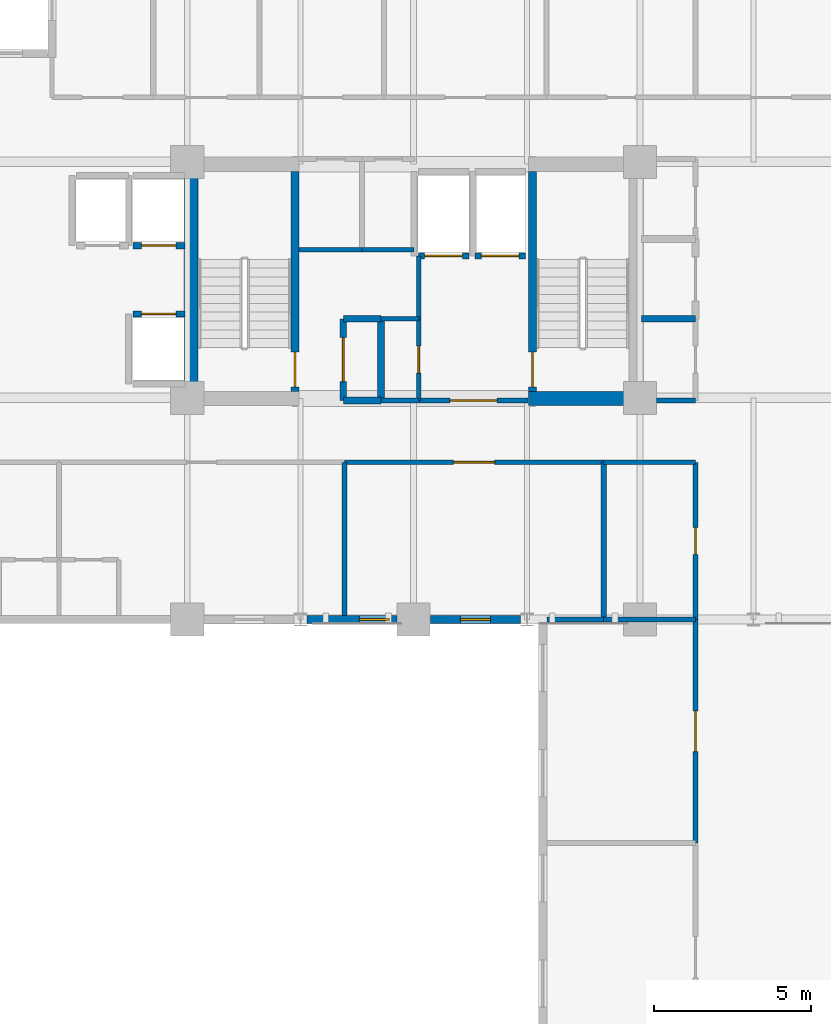
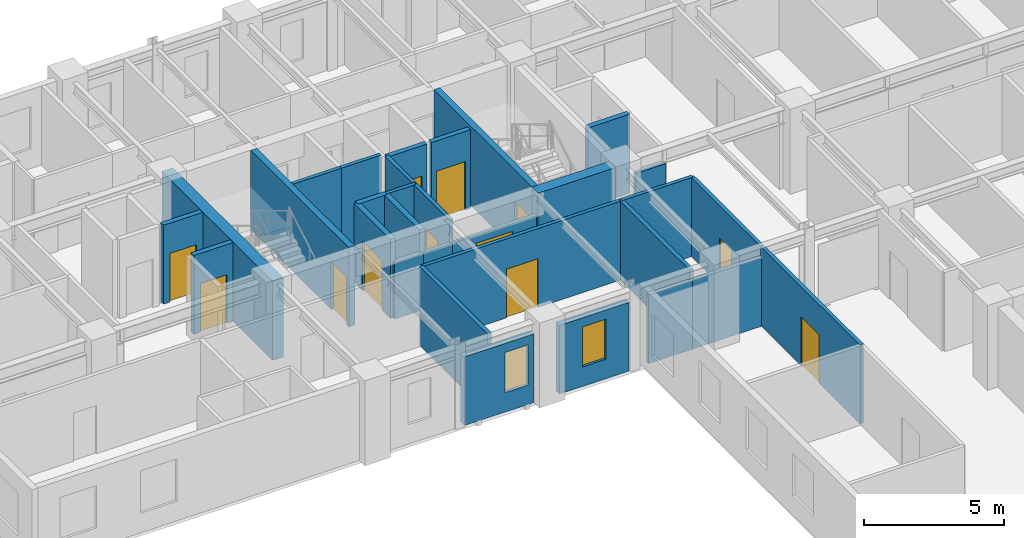
# One storey, part 5 of 13: 31 walls, 12 doors, 2 windows, 14 openings.
"""IFC4 building model written with IfcOpenShell, lengths in metres."""

import ifcopenshell
import ifcopenshell.guid

model = None  # the IFC model being written
_history = None  # IfcOwnerHistory: only IFC2X3 demands one
_inside = {}  # id of a spatial element -> (the spatial element, [elements in it])
_under = {}  # id of a project, library or spatial element -> (it, [spatial elements below it])
_declared = {}  # id of a project -> (the project, [libraries it declares])
_typed = {}  # id of a type object -> (the type object, [elements of that type])
_made_of = {}  # id of a material, layer set ... -> (it, [elements and type objects made of it])


def new_model(schema):
    """Start an empty IFC model of exactly this schema.

    Asked for "IFC4X3", IfcOpenShell would pick the latest addendum, in which some entities
    have other attributes; the version numbers below select the first issue.
    IFC2X3 requires an IfcOwnerHistory on every rooted entity: one is made here for all.
    """
    global model, _history
    if schema == "IFC4X3":
        model = ifcopenshell.file(schema_version=(4, 3, 0, 0))
    else:
        model = ifcopenshell.file(schema=schema)
    _inside.clear()
    _under.clear()
    _declared.clear()
    _typed.clear()
    _made_of.clear()
    _history = None
    if model.schema == "IFC2X3":
        org = make("IfcOrganization", Name="unknown")
        user = make(
            "IfcPersonAndOrganization",
            ThePerson=make("IfcPerson", FamilyName="unknown"),
            TheOrganization=org,
        )
        app = make(
            "IfcApplication",
            ApplicationDeveloper=org,
            Version="unknown",
            ApplicationFullName="unknown",
            ApplicationIdentifier="unknown",
        )
        _history = make(
            "IfcOwnerHistory",
            OwningUser=user,
            OwningApplication=app,
            ChangeAction="ADDED",
            CreationDate=0,
        )
    return model


def make(cls, **values):
    """One entity of the class cls with the attributes given. An attribute that is None is left unset."""
    return model.create_entity(
        cls, **{name: value for name, value in values.items() if value is not None}
    )


def rooted(cls, **values):
    """An entity with a GlobalId (a new one), such as an element, a storey or a relation."""
    return make(cls, GlobalId=ifcopenshell.guid.new(), OwnerHistory=_history, **values)


def si_unit(unit_type, name, prefix=None):
    """IfcSIUnit, for example si_unit("LENGTHUNIT", "METRE", prefix="MILLI")."""
    return make("IfcSIUnit", UnitType=unit_type, Prefix=prefix, Name=name)


def assignment(units):
    """IfcUnitAssignment: the units of a project."""
    return None if units is None else make("IfcUnitAssignment", Units=units)


def point(xyz):
    """IfcCartesianPoint."""
    return None if xyz is None else make("IfcCartesianPoint", Coordinates=xyz)


def direction(xyz):
    """IfcDirection."""
    return None if xyz is None else make("IfcDirection", DirectionRatios=xyz)


def frame(location, z_axis=None, x_axis=None):
    """IfcAxis2Placement3D, a coordinate frame: its origin and axes. An axis left out is left unset."""
    return make(
        "IfcAxis2Placement3D",
        Location=point(location),
        Axis=direction(z_axis),
        RefDirection=direction(x_axis),
    )


def frame_2d(location, x_axis=None):
    """IfcAxis2Placement2D, a coordinate frame in the plane: its origin and x axis."""
    return make(
        "IfcAxis2Placement2D", Location=point(location), RefDirection=direction(x_axis)
    )


def origin():
    """The frame at (0, 0, 0) with its axes left unset."""
    return frame((0.0, 0.0, 0.0))


def place(relative_to, where):
    """IfcLocalPlacement: puts the frame where relative to a parent placement (None: the world)."""
    return make(
        "IfcLocalPlacement", PlacementRelTo=relative_to, RelativePlacement=where
    )


def context(
    kind, dimensions, precision=None, world=None, true_north=None, identifier=None
):
    """IfcGeometricRepresentationContext, for example the 3D "Model" context."""
    return make(
        "IfcGeometricRepresentationContext",
        ContextIdentifier=identifier,
        ContextType=kind,
        CoordinateSpaceDimension=dimensions,
        Precision=precision,
        WorldCoordinateSystem=world,
        TrueNorth=true_north,
    )


def subcontext(parent, identifier, kind, view, scale=None):
    """IfcGeometricRepresentationSubContext, for example "Body" below "Model"."""
    return make(
        "IfcGeometricRepresentationSubContext",
        ContextIdentifier=identifier,
        ContextType=kind,
        ParentContext=parent,
        TargetScale=scale,
        TargetView=view,
    )


def project(units=None, contexts=None):
    """IfcProject with its units and contexts."""
    return rooted(
        "IfcProject",
        Name="project",
        RepresentationContexts=contexts,
        UnitsInContext=assignment(units),
    )


def spatial(cls, under=None, at=None, **own):
    """A site, building, storey or space (cls), placed at a placement, below another one or the project."""
    s = rooted(cls, ObjectPlacement=at, **own)
    if under is not None:
        _under.setdefault(under.id(), (under, []))[1].append(s)
    return s


def profile(cls, at=None, kind="AREA", **sizes):
    """A parametric profile (cls). Its sizes go by their IFC names, for example OverallWidth=200.0."""
    return make(cls, ProfileType=kind, Position=at, **sizes)


def rectangle(**sizes):
    """IfcRectangleProfileDef."""
    return profile("IfcRectangleProfileDef", **sizes)


def extrude(swept, where, along, depth):
    """IfcExtrudedAreaSolid: the profile swept, set in the frame where, extruded along a direction by depth."""
    return make(
        "IfcExtrudedAreaSolid",
        SweptArea=swept,
        Position=where,
        ExtrudedDirection=direction(along),
        Depth=depth,
    )


def shape(context_of_items, identifier, shape_type, items):
    """IfcShapeRepresentation: the items that make up one representation, for example the "Body"."""
    return make(
        "IfcShapeRepresentation",
        ContextOfItems=context_of_items,
        RepresentationIdentifier=identifier,
        RepresentationType=shape_type,
        Items=items,
    )


def material(Name=None, Category=None):
    """IfcMaterial."""
    return make("IfcMaterial", Name=Name, Category=Category)


def layer(
    of_material, thickness, ventilated=None, Name=None, Category=None, Priority=None
):
    """IfcMaterialLayer: one layer of a wall or slab, of a material (None: an air gap)."""
    return make(
        "IfcMaterialLayer",
        Material=of_material,
        LayerThickness=thickness,
        IsVentilated=ventilated,
        Name=Name,
        Category=Category,
        Priority=Priority,
    )


def layer_set(layers, Name=None):
    """IfcMaterialLayerSet."""
    return make("IfcMaterialLayerSet", MaterialLayers=layers, LayerSetName=Name)


def made_of(thing, what):
    """Note that an element or type object is made of a material, layer set ...; save() writes the relation."""
    if what is not None:
        _made_of.setdefault(what.id(), (what, []))[1].append(thing)
    return thing


def type_object(cls, material=None, **own):
    """A type object (cls), such as IfcWallType, which elements share."""
    return made_of(rooted(cls, **own), material)


def element(
    cls,
    number,
    at=None,
    inside=None,
    cuts=None,
    type_object=None,
    material=None,
    context=None,
    identifier="Body",
    shape_type=None,
    held_by="IfcProductDefinitionShape",
    body=None,
    shapes=None,
    **own,
):
    """One element of the class cls, such as IfcWall. Its Tag is "e" and its number.

    at: its placement. inside: the storey or other place that contains it. cuts: it is an
    opening in that element (IfcRelVoidsElement). A single representation is given by context,
    identifier, shape_type and body (its items); several are given by shapes. held_by: the class
    of the entity that holds the representations. save() writes the other relations.
    """
    e = rooted(cls, Tag="e%d" % number, ObjectPlacement=at, **own)
    if body is not None:
        shapes = [shape(context, identifier, shape_type, body)]
    if shapes is not None:
        e.Representation = make(held_by, Representations=shapes)
    if inside is not None:
        _inside.setdefault(inside.id(), (inside, []))[1].append(e)
    if cuts is not None:
        rooted(
            "IfcRelVoidsElement", RelatingBuildingElement=cuts, RelatedOpeningElement=e
        )
    if type_object is not None:
        _typed.setdefault(type_object.id(), (type_object, []))[1].append(e)
    return made_of(e, material)


def fill(opening, filler):
    """IfcRelFillsElement: the door or window that sits in an opening."""
    return rooted(
        "IfcRelFillsElement",
        RelatingOpeningElement=opening,
        RelatedBuildingElement=filler,
    )


def aggregate(whole, parts):
    """IfcRelAggregates: a whole, such as a stair, and the parts it consists of."""
    return rooted("IfcRelAggregates", RelatingObject=whole, RelatedObjects=parts)


def save(model, path):
    """Write the relations noted so far, then the file.

    IfcRelAggregates (storeys below a building ...), IfcRelContainedInSpatialStructure (elements
    in a storey), IfcRelDefinesByType, IfcRelAssociatesMaterial and IfcRelDeclares: one each for
    every whole, place, type object, material and project.
    """
    for whole, parts in _under.values():
        aggregate(whole, parts)
    for where, things in _inside.values():
        rooted(
            "IfcRelContainedInSpatialStructure",
            RelatedElements=things,
            RelatingStructure=where,
        )
    for kind, things in _typed.values():
        rooted("IfcRelDefinesByType", RelatedObjects=things, RelatingType=kind)
    for what, things in _made_of.values():
        rooted("IfcRelAssociatesMaterial", RelatedObjects=things, RelatingMaterial=what)
    for by, libraries in _declared.values():
        rooted("IfcRelDeclares", RelatingContext=by, RelatedDefinitions=libraries)
    model.write(path)


model = new_model("IFC4")

# Units and contexts
model_context = context("Model", 3, precision=1e-05, world=origin(), true_north=direction((0.0, 1.0)))
body_context = subcontext(model_context, "Body", "Model", "MODEL_VIEW")
ifc_project = project(units=[si_unit("LENGTHUNIT", "METRE"), si_unit("AREAUNIT", "SQUARE_METRE"), si_unit("VOLUMEUNIT", "CUBIC_METRE"), si_unit("PLANEANGLEUNIT", "RADIAN"), si_unit("MASSUNIT", "GRAM", prefix="KILO")], contexts=[model_context])

# Site, building, storey
site_placement = place(None, origin())
site = spatial("IfcSite", under=ifc_project, at=site_placement, CompositionType="ELEMENT")
building_placement = place(site_placement, origin())
building = spatial("IfcBuilding", under=site, at=building_placement, Name="Kaliganga Portal Commons", CompositionType="ELEMENT")
storey_placement = place(building_placement, frame((0.0, 0.0, 173.5)))
storey = spatial("IfcBuildingStorey", under=building, at=storey_placement, Name="L44", CompositionType="ELEMENT", Elevation=173.5)

# Walls
ifc_material_1 = material(Name="Concrete C60/75", Category="concrete")
ifc_layer_1 = layer(ifc_material_1, 0.449951171875)
ifc_layer_set_1 = layer_set([ifc_layer_1], Name="Concrete C60/75")
wall_type_1 = type_object("IfcWallType", Name="WL-CORE-450", PredefinedType="SHEAR", material=ifc_layer_set_1)
wall_1_placement = place(storey_placement, frame((14.52490234375, 28.39990234375, 0.0), z_axis=(0.0, 0.0, 1.0), x_axis=(0.0, 1.0, 0.0)))
element("IfcWall", 1, at=wall_1_placement, inside=storey, type_object=wall_type_1, Name="Core A West Shear Wall L44", PredefinedType="SHEAR", context=body_context, shape_type="SweptSolid", body=[
    extrude(rectangle(XDim=7.900146484375, YDim=0.449951171875, at=frame_2d((3.9501953125, 0.0))), origin(), (0.0, 0.0, 1.0), 3.4599609375),
])
wall_2_placement = place(storey_placement, frame((25.25, 28.625, 0.0), z_axis=(0.0, 0.0, 1.0), x_axis=(1.0, 0.0, 0.0)))
element("IfcWall", 2, at=wall_2_placement, inside=storey, type_object=wall_type_1, Name="Core A S-East Shear Wall L44", PredefinedType="SHEAR", context=body_context, shape_type="SweptSolid", body=[
    extrude(rectangle(XDim=3.199951171875, YDim=0.449951171875, at=frame_2d((1.60009765625, 0.0))), origin(), (0.0, 0.0, 1.0), 3.4599609375),
])

# Wall, opening, window
ifc_material_2 = material(Name="Insulated Aluminium-Clad Spandrel Assembly", Category="aluminium")
ifc_layer_2 = layer(ifc_material_2, 0.260009765625)
ifc_layer_set_2 = layer_set([ifc_layer_2], Name="Insulated Aluminium-Clad Spandrel Assembly")
wall_type_2 = type_object("IfcWallType", Name="WL-EXT-SPAND-260", PredefinedType="STANDARD", material=ifc_layer_set_2)
wall_3_placement = place(storey_placement, frame((21.073974609375, 21.60009765625, 0.0), z_axis=(0.0, 0.0, 1.0), x_axis=(-1.0, 0.0, 0.0)))
wall_3 = element("IfcWall", 3, at=wall_3_placement, inside=storey, type_object=wall_type_2, Name="Exterior Envelope Wall L44 P1-E10-S3", PredefinedType="STANDARD", context=body_context, shape_type="SweptSolid", body=[
    extrude(rectangle(XDim=2.87109375, YDim=0.260009765625, at=frame_2d((1.435546875, 0.0))), origin(), (0.0, 0.0, 1.0), 2.989990234375),
])
opening_1_placement = place(wall_3_placement, frame((0.24853515625, 0.0, 0.85009765625)))
opening_1 = element("IfcOpeningElement", 4, at=opening_1_placement, cuts=wall_3, Name="Opening W-04", PredefinedType="OPENING", context=body_context, shape_type="SweptSolid", body=[
    extrude(rectangle(XDim=0.949951171875, YDim=1.75, at=frame_2d((0.47509765625, 0.875))), frame((0.0, 0.14013671875, 0.0), z_axis=(0.0, -1.0, 0.0), x_axis=(1.0, 0.0, 0.0)), (0.0, 0.0, 1.0), 0.280029296875),
])
ifc_material_3 = material(Name="Thermally Broken Aluminium and Low-E Double Glazing", Category="aluminium")
window_type = type_object("IfcWindowType", Name="WIN-NARROW-950", PartitioningType="SINGLE_PANEL", PredefinedType="WINDOW", material=ifc_material_3)
window_1_placement = place(opening_1_placement, origin())
window_1 = element("IfcWindow", 5, at=window_1_placement, inside=storey, type_object=window_type, Name="Facade Window L44-P1E10S3-N1", OverallHeight=1.75, OverallWidth=0.949951171875, PartitioningType="SINGLE_PANEL", PredefinedType="WINDOW", context=body_context, shape_type="SweptSolid", body=[
    extrude(rectangle(XDim=0.949951171875, YDim=1.75, at=frame_2d((0.47509765625, 0.875))), frame((0.0, 0.030029296875, 0.0), z_axis=(0.0, -1.0, 0.0), x_axis=(1.0, 0.0, 0.0)), (0.0, 0.0, 1.0), 0.06005859375),
])
fill(opening_1, window_1)

wall_4_placement = place(storey_placement, frame((24.9970703125, 21.60009765625, 0.0), z_axis=(0.0, 0.0, 1.0), x_axis=(-1.0, 0.0, 0.0)))
wall_4 = element("IfcWall", 6, at=wall_4_placement, inside=storey, type_object=wall_type_2, Name="Exterior Envelope Wall L44 P1-E10-S4", PredefinedType="STANDARD", context=body_context, shape_type="SweptSolid", body=[
    extrude(rectangle(XDim=2.87109375, YDim=0.260009765625, at=frame_2d((1.435546875, 0.0))), origin(), (0.0, 0.0, 1.0), 2.989990234375),
])
opening_2_placement = place(wall_4_placement, frame((0.96044921875, 0.0, 0.85009765625)))
opening_2 = element("IfcOpeningElement", 7, at=opening_2_placement, cuts=wall_4, Name="Opening W-04", PredefinedType="OPENING", context=body_context, shape_type="SweptSolid", body=[
    extrude(rectangle(XDim=0.949951171875, YDim=1.75, at=frame_2d((0.47509765625, 0.875))), frame((0.0, 0.14013671875, 0.0), z_axis=(0.0, -1.0, 0.0), x_axis=(1.0, 0.0, 0.0)), (0.0, 0.0, 1.0), 0.280029296875),
])
window_2_placement = place(opening_2_placement, origin())
window_2 = element("IfcWindow", 8, at=window_2_placement, inside=storey, type_object=window_type, Name="Facade Window L44-P1E10S4-00", OverallHeight=1.75, OverallWidth=0.949951171875, PartitioningType="SINGLE_PANEL", PredefinedType="WINDOW", context=body_context, shape_type="SweptSolid", body=[
    extrude(rectangle(XDim=0.949951171875, YDim=1.75, at=frame_2d((0.47509765625, 0.875))), frame((0.0, 0.030029296875, 0.0), z_axis=(0.0, -1.0, 0.0), x_axis=(1.0, 0.0, 0.0)), (0.0, 0.0, 1.0), 0.06005859375),
])
fill(opening_2, window_2)

# Wall, opening, door
ifc_material_4 = material(Name="Fire-Rated Gypsum Board on Steel Stud", Category="steel")
ifc_layer_3 = layer(ifc_material_4, 0.14990234375)
ifc_layer_set_3 = layer_set([ifc_layer_3], Name="Fire-Rated Gypsum Board on Steel Stud")
wall_type_3 = type_object("IfcWallType", Name="WL-PART-CORR-150", PredefinedType="PARTITIONING", material=ifc_layer_set_3)
wall_5_placement = place(storey_placement, frame((19.39990234375, 26.60009765625, 0.0), z_axis=(0.0, 0.0, 1.0), x_axis=(1.0, 0.0, 0.0)))
wall_5 = element("IfcWall", 9, at=wall_5_placement, inside=storey, type_object=wall_type_3, Name="Interior Partition L44-009", PredefinedType="PARTITIONING", context=body_context, shape_type="SweptSolid", body=[
    extrude(rectangle(XDim=8.239990234375, YDim=0.14990234375, at=frame_2d((4.1201171875, 0.0))), origin(), (0.0, 0.0, 1.0), 3.43994140625),
])
opening_3_placement = place(wall_5_placement, frame((3.469970703125, 0.0, 0.0)))
opening_3 = element("IfcOpeningElement", 10, at=opening_3_placement, cuts=wall_5, Name="Opening RD-03", PredefinedType="OPENING", context=body_context, shape_type="SweptSolid", body=[
    extrude(rectangle(XDim=1.300048828125, YDim=2.1201171875, at=frame_2d((0.64990234375, 1.06005859375))), frame((0.0, 0.0849609375, 0.0), z_axis=(0.0, -1.0, 0.0), x_axis=(1.0, 0.0, 0.0)), (0.0, 0.0, 1.0), 0.169921875),
])
ifc_material_5 = material(Name="Glazed Timber Seminar Vision Door", Category="wood")
door_type_1 = type_object("IfcDoorType", Name="DR-STUDY-1300", OperationType="DOUBLE_DOOR_SINGLE_SWING", PredefinedType="DOOR", material=ifc_material_5)
door_1_placement = place(opening_3_placement, origin())
door_1 = element("IfcDoor", 11, at=door_1_placement, inside=storey, type_object=door_type_1, Name="Interior Door L44-AS03", OperationType="DOUBLE_DOOR_SINGLE_SWING", OverallHeight=2.1201171875, OverallWidth=1.300048828125, PredefinedType="DOOR", context=body_context, shape_type="SweptSolid", body=[
    extrude(rectangle(XDim=1.300048828125, YDim=2.1201171875, at=frame_2d((0.64990234375, 1.06005859375))), frame((0.0, 0.02490234375, 0.0), z_axis=(0.0, -1.0, 0.0), x_axis=(1.0, 0.0, 0.0)), (0.0, 0.0, 1.0), 0.050048828125),
])
fill(opening_3, door_1)

wall_6_placement = place(storey_placement, frame((30.56005859375, 14.5, 0.0), z_axis=(0.0, 0.0, 1.0), x_axis=(0.0, 1.0, 0.0)))
wall_6 = element("IfcWall", 12, at=wall_6_placement, inside=storey, type_object=wall_type_3, Name="Interior Partition L44-014", PredefinedType="PARTITIONING", context=body_context, shape_type="SweptSolid", body=[
    extrude(rectangle(XDim=7.10009765625, YDim=0.14990234375, at=frame_2d((3.550048828125, 0.0))), origin(), (0.0, 0.0, 1.0), 3.43994140625),
])
opening_4_placement = place(wall_6_placement, frame((2.89990234375, 0.0, 0.0)))
opening_4 = element("IfcOpeningElement", 13, at=opening_4_placement, cuts=wall_6, Name="Opening RD-03", PredefinedType="OPENING", context=body_context, shape_type="SweptSolid", body=[
    extrude(rectangle(XDim=1.300048828125, YDim=2.1201171875, at=frame_2d((0.64990234375, 1.06005859375))), frame((0.0, 0.0849609375, 0.0), z_axis=(0.0, -1.0, 0.0), x_axis=(1.0, 0.0, 0.0)), (0.0, 0.0, 1.0), 0.169921875),
])
door_2_placement = place(opening_4_placement, origin())
door_2 = element("IfcDoor", 14, at=door_2_placement, inside=storey, type_object=door_type_1, Name="Interior Door L44-KW02", OperationType="DOUBLE_DOOR_SINGLE_SWING", OverallHeight=2.1201171875, OverallWidth=1.300048828125, PredefinedType="DOOR", context=body_context, shape_type="SweptSolid", body=[
    extrude(rectangle(XDim=1.300048828125, YDim=2.1201171875, at=frame_2d((0.64990234375, 1.06005859375))), frame((0.0, 0.02490234375, 0.0), z_axis=(0.0, -1.0, 0.0), x_axis=(1.0, 0.0, 0.0)), (0.0, 0.0, 1.0), 0.050048828125),
])
fill(opening_4, door_2)

wall_7_placement = place(storey_placement, frame((30.56005859375, 21.60009765625, 0.0), z_axis=(0.0, 0.0, 1.0), x_axis=(0.0, 1.0, 0.0)))
wall_7 = element("IfcWall", 15, at=wall_7_placement, inside=storey, type_object=wall_type_3, Name="Interior Partition L44-020", PredefinedType="PARTITIONING", context=body_context, shape_type="SweptSolid", body=[
    extrude(rectangle(XDim=5.0, YDim=0.14990234375, at=frame_2d((2.5, 0.0))), origin(), (0.0, 0.0, 1.0), 3.43994140625),
])
opening_5_placement = place(wall_7_placement, frame((2.070068359375, 0.0, 0.0)))
opening_5 = element("IfcOpeningElement", 16, at=opening_5_placement, cuts=wall_7, Name="Opening WD-02", PredefinedType="OPENING", context=body_context, shape_type="SweptSolid", body=[
    extrude(rectangle(XDim=0.860107421875, YDim=2.02001953125, at=frame_2d((0.43017578125, 1.010009765625))), frame((0.0, 0.0849609375, 0.0), z_axis=(0.0, -1.0, 0.0), x_axis=(1.0, 0.0, 0.0)), (0.0, 0.0, 1.0), 0.169921875),
])
ifc_material_6 = material(Name="Fire-Rated Utility Closet Door", Category="wood")
door_type_2 = type_object("IfcDoorType", Name="DR-STORE-800", OperationType="NOTDEFINED", PredefinedType="DOOR", material=ifc_material_6)
door_3_placement = place(opening_5_placement, origin())
door_3 = element("IfcDoor", 17, at=door_3_placement, inside=storey, type_object=door_type_2, Name="Interior Door L44-AS04", OperationType="SINGLE_SWING_RIGHT", OverallHeight=2.02001953125, OverallWidth=0.860107421875, PredefinedType="DOOR", context=body_context, shape_type="SweptSolid", body=[
    extrude(rectangle(XDim=0.860107421875, YDim=2.02001953125, at=frame_2d((0.43017578125, 1.010009765625))), frame((0.0, 0.02490234375, 0.0), z_axis=(0.0, -1.0, 0.0), x_axis=(1.0, 0.0, 0.0)), (0.0, 0.0, 1.0), 0.050048828125),
])
fill(opening_5, door_3)

# Wall
wall_8_placement = place(storey_placement, frame((27.639892578125, 26.60009765625, 0.0), z_axis=(0.0, 0.0, 1.0), x_axis=(1.0, 0.0, 0.0)))
element("IfcWall", 18, at=wall_8_placement, inside=storey, type_object=wall_type_3, Name="Interior Partition L44-037", PredefinedType="PARTITIONING", context=body_context, shape_type="SweptSolid", body=[
    extrude(rectangle(XDim=2.920166015625, YDim=0.14990234375, at=frame_2d((1.4599609375, 0.0))), origin(), (0.0, 0.0, 1.0), 3.43994140625),
])

# Wall, opening, door
wall_9_placement = place(storey_placement, frame((21.760009765625, 28.56005859375, 0.0), z_axis=(0.0, 0.0, 1.0), x_axis=(0.0, 1.0, 0.0)))
wall_9 = element("IfcWall", 19, at=wall_9_placement, inside=storey, type_object=wall_type_3, Name="Interior Partition L44-041", PredefinedType="PARTITIONING", context=body_context, shape_type="SweptSolid", body=[
    extrude(rectangle(XDim=2.599853515625, YDim=0.14990234375, at=frame_2d((1.2998046875, 0.0))), origin(), (0.0, 0.0, 1.0), 3.43994140625),
])
opening_6_placement = place(wall_9_placement, frame((0.8701171875, 0.0, 0.0)))
opening_6 = element("IfcOpeningElement", 20, at=opening_6_placement, cuts=wall_9, Name="Opening WD-02", PredefinedType="OPENING", context=body_context, shape_type="SweptSolid", body=[
    extrude(rectangle(XDim=0.860107421875, YDim=2.02001953125, at=frame_2d((0.43017578125, 1.010009765625))), frame((0.0, 0.0849609375, 0.0), z_axis=(0.0, -1.0, 0.0), x_axis=(1.0, 0.0, 0.0)), (0.0, 0.0, 1.0), 0.169921875),
])
door_4_placement = place(opening_6_placement, origin())
door_4 = element("IfcDoor", 21, at=door_4_placement, inside=storey, type_object=door_type_2, Name="Interior Door L44-CIN_A2", OperationType="SINGLE_SWING_LEFT", OverallHeight=2.02001953125, OverallWidth=0.860107421875, PredefinedType="DOOR", context=body_context, shape_type="SweptSolid", body=[
    extrude(rectangle(XDim=0.860107421875, YDim=2.02001953125, at=frame_2d((0.43017578125, 1.010009765625))), frame((0.0, 0.02490234375, 0.0), z_axis=(0.0, -1.0, 0.0), x_axis=(1.0, 0.0, 0.0)), (0.0, 0.0, 1.0), 0.050048828125),
])
fill(opening_6, door_4)

# Walls
wall_10_placement = place(storey_placement, frame((17.9599609375, 33.360107421875, 0.0), z_axis=(0.0, 0.0, 1.0), x_axis=(1.0, 0.0, 0.0)))
element("IfcWall", 22, at=wall_10_placement, inside=storey, type_object=wall_type_3, Name="Interior Partition L44-047", PredefinedType="PARTITIONING", context=body_context, shape_type="SweptSolid", body=[
    extrude(rectangle(XDim=2.0, YDim=0.14990234375, at=frame_2d((1.0, 0.0))), origin(), (0.0, 0.0, 1.0), 3.43994140625),
])
wall_11_placement = place(storey_placement, frame((29.324951171875, 28.56005859375, 0.0), z_axis=(0.0, 0.0, 1.0), x_axis=(1.0, 0.0, 0.0)))
element("IfcWall", 23, at=wall_11_placement, inside=storey, type_object=wall_type_3, Name="Interior Partition L44-050", PredefinedType="PARTITIONING", context=body_context, shape_type="SweptSolid", body=[
    extrude(rectangle(XDim=1.235107421875, YDim=0.14990234375, at=frame_2d((0.61767578125, 0.0))), origin(), (0.0, 0.0, 1.0), 2.840087890625),
])
wall_12_placement = place(storey_placement, frame((19.9599609375, 33.360107421875, 0.0), z_axis=(0.0, 0.0, 1.0), x_axis=(1.0, 0.0, 0.0)))
element("IfcWall", 24, at=wall_12_placement, inside=storey, type_object=wall_type_3, Name="Interior Partition L44-052", PredefinedType="PARTITIONING", context=body_context, shape_type="SweptSolid", body=[
    extrude(rectangle(XDim=1.650146484375, YDim=0.14990234375, at=frame_2d((0.8251953125, 0.0))), origin(), (0.0, 0.0, 1.0), 3.43994140625),
])
wall_13_placement = place(storey_placement, frame((20.56005859375, 28.56005859375, 0.0), z_axis=(0.0, 0.0, 1.0), x_axis=(1.0, 0.0, 0.0)))
element("IfcWall", 25, at=wall_13_placement, inside=storey, type_object=wall_type_3, Name="Interior Partition L44-054", PredefinedType="PARTITIONING", context=body_context, shape_type="SweptSolid", body=[
    extrude(rectangle(XDim=1.199951171875, YDim=0.14990234375, at=frame_2d((0.60009765625, 0.0))), origin(), (0.0, 0.0, 1.0), 2.43994140625),
])
wall_14_placement = place(storey_placement, frame((20.56005859375, 31.159912109375, 0.0), z_axis=(0.0, 0.0, 1.0), x_axis=(1.0, 0.0, 0.0)))
element("IfcWall", 26, at=wall_14_placement, inside=storey, type_object=wall_type_3, Name="Interior Partition L44-055", PredefinedType="PARTITIONING", context=body_context, shape_type="SweptSolid", body=[
    extrude(rectangle(XDim=1.199951171875, YDim=0.14990234375, at=frame_2d((0.60009765625, 0.0))), origin(), (0.0, 0.0, 1.0), 3.43994140625),
])

# Wall, opening, door
wall_15_placement = place(storey_placement, frame((21.760009765625, 28.56005859375, 0.0), z_axis=(0.0, 0.0, 1.0), x_axis=(1.0, 0.0, 0.0)))
wall_15 = element("IfcWall", 27, at=wall_15_placement, inside=storey, type_object=wall_type_3, Name="Interior Partition L44-083", PredefinedType="PARTITIONING", context=body_context, shape_type="SweptSolid", body=[
    extrude(rectangle(XDim=3.47998046875, YDim=0.14990234375, at=frame_2d((1.739990234375, 0.0))), origin(), (0.0, 0.0, 1.0), 2.43994140625),
])
opening_7_placement = place(wall_15_placement, frame((0.989990234375, 0.0, 0.0)))
opening_7 = element("IfcOpeningElement", 28, at=opening_7_placement, cuts=wall_15, Name="Opening FD-01", PredefinedType="OPENING", context=body_context, shape_type="SweptSolid", body=[
    extrude(rectangle(XDim=1.5, YDim=2.10009765625, at=frame_2d((0.75, 1.050048828125))), frame((0.0, 0.0849609375, 0.0), z_axis=(0.0, -1.0, 0.0), x_axis=(1.0, 0.0, 0.0)), (0.0, 0.0, 1.0), 0.169921875),
])
ifc_material_7 = material(Name="Fire-Rated Hardwood and Georgian-Wired Vision Panel", Category="wood")
door_type_3 = type_object("IfcDoorType", Name="DR-LOBBY-1500", OperationType="DOUBLE_DOOR_SINGLE_SWING", PredefinedType="DOOR", material=ifc_material_7)
door_5_placement = place(opening_7_placement, origin())
door_5 = element("IfcDoor", 29, at=door_5_placement, inside=storey, type_object=door_type_3, Name="Interior Door L44-FFLOB_A", OperationType="DOUBLE_DOOR_SINGLE_SWING", OverallHeight=2.10009765625, OverallWidth=1.5, PredefinedType="DOOR", context=body_context, shape_type="SweptSolid", body=[
    extrude(rectangle(XDim=1.5, YDim=2.10009765625, at=frame_2d((0.75, 1.050048828125))), frame((0.0, 0.02490234375, 0.0), z_axis=(0.0, -1.0, 0.0), x_axis=(1.0, 0.0, 0.0)), (0.0, 0.0, 1.0), 0.050048828125),
])
fill(opening_7, door_5)

# Wall
wall_16_placement = place(storey_placement, frame((21.760009765625, 31.159912109375, 0.0), z_axis=(0.0, 0.0, 1.0), x_axis=(0.0, 1.0, 0.0)))
element("IfcWall", 30, at=wall_16_placement, inside=storey, type_object=wall_type_3, Name="Interior Partition L44-090", PredefinedType="PARTITIONING", context=body_context, shape_type="SweptSolid", body=[
    extrude(rectangle(XDim=2.0, YDim=0.14990234375, at=frame_2d((1.0, 0.0))), origin(), (0.0, 0.0, 1.0), 3.43994140625),
])

# Wall, opening, door
ifc_material_8 = material(Name="Lightweight blockwork masonry", Category="masonry")
ifc_layer_4 = layer(ifc_material_8, 0.215087890625)
ifc_layer_set_4 = layer_set([ifc_layer_4], Name="Lightweight blockwork masonry")
wall_type_4 = type_object("IfcWallType", Name="WL-PART-PLANT-215", PredefinedType="PARTITIONING", material=ifc_layer_set_4)
wall_17_placement = place(storey_placement, frame((19.360107421875, 28.56005859375, 0.0), z_axis=(0.0, 0.0, 1.0), x_axis=(0.0, 1.0, 0.0)))
wall_17 = element("IfcWall", 31, at=wall_17_placement, inside=storey, type_object=wall_type_4, Name="Interior Partition L44-040", PredefinedType="PARTITIONING", context=body_context, shape_type="SweptSolid", body=[
    extrude(rectangle(XDim=2.599853515625, YDim=0.215087890625, at=frame_2d((1.2998046875, 0.0))), origin(), (0.0, 0.0, 1.0), 3.43994140625),
])
opening_8_placement = place(wall_17_placement, frame((0.60009765625, 0.0, 0.0)))
opening_8 = element("IfcOpeningElement", 32, at=opening_8_placement, cuts=wall_17, Name="Opening PD-01", PredefinedType="OPENING", context=body_context, shape_type="SweptSolid", body=[
    extrude(rectangle(XDim=1.39990234375, YDim=2.14990234375, at=frame_2d((0.699951171875, 1.074951171875))), frame((0.0, 0.11767578125, 0.0), z_axis=(0.0, -1.0, 0.0), x_axis=(1.0, 0.0, 0.0)), (0.0, 0.0, 1.0), 0.235107421875),
])
ifc_material_9 = material(Name="Heavy-Duty Steel Acoustic Louvre Fire Door", Category="steel")
door_type_4 = type_object("IfcDoorType", Name="DR-PLANT-1400", OperationType="DOUBLE_DOOR_SINGLE_SWING", PredefinedType="DOOR", material=ifc_material_9)
door_6_placement = place(opening_8_placement, origin())
door_6 = element("IfcDoor", 33, at=door_6_placement, inside=storey, type_object=door_type_4, Name="Interior Door L44-CIN_A1", OperationType="DOUBLE_DOOR_SINGLE_SWING", OverallHeight=2.14990234375, OverallWidth=1.39990234375, PredefinedType="DOOR", context=body_context, shape_type="SweptSolid", body=[
    extrude(rectangle(XDim=1.39990234375, YDim=2.14990234375, at=frame_2d((0.699951171875, 1.074951171875))), frame((0.0, 0.02490234375, 0.0), z_axis=(0.0, -1.0, 0.0), x_axis=(1.0, 0.0, 0.0)), (0.0, 0.0, 1.0), 0.050048828125),
])
fill(opening_8, door_6)

# Walls
wall_18_placement = place(storey_placement, frame((19.360107421875, 28.56005859375, 0.0), z_axis=(0.0, 0.0, 1.0), x_axis=(1.0, 0.0, 0.0)))
element("IfcWall", 34, at=wall_18_placement, inside=storey, type_object=wall_type_4, Name="Interior Partition L44-056", PredefinedType="PARTITIONING", context=body_context, shape_type="SweptSolid", body=[
    extrude(rectangle(XDim=1.199951171875, YDim=0.215087890625, at=frame_2d((0.60009765625, 0.0))), origin(), (0.0, 0.0, 1.0), 2.43994140625),
])
wall_19_placement = place(storey_placement, frame((19.360107421875, 31.159912109375, 0.0), z_axis=(0.0, 0.0, 1.0), x_axis=(1.0, 0.0, 0.0)))
element("IfcWall", 35, at=wall_19_placement, inside=storey, type_object=wall_type_4, Name="Interior Partition L44-057", PredefinedType="PARTITIONING", context=body_context, shape_type="SweptSolid", body=[
    extrude(rectangle(XDim=1.199951171875, YDim=0.215087890625, at=frame_2d((0.60009765625, 0.0))), origin(), (0.0, 0.0, 1.0), 3.43994140625),
])
wall_20_placement = place(storey_placement, frame((20.56005859375, 28.56005859375, 0.0), z_axis=(0.0, 0.0, 1.0), x_axis=(0.0, 1.0, 0.0)))
element("IfcWall", 36, at=wall_20_placement, inside=storey, type_object=wall_type_4, Name="Interior Partition L44-087", PredefinedType="PARTITIONING", context=body_context, shape_type="SweptSolid", body=[
    extrude(rectangle(XDim=2.599853515625, YDim=0.215087890625, at=frame_2d((1.2998046875, 0.0))), origin(), (0.0, 0.0, 1.0), 3.43994140625),
])
wall_21_placement = place(storey_placement, frame((28.840087890625, 31.159912109375, 0.0), z_axis=(0.0, 0.0, 1.0), x_axis=(1.0, 0.0, 0.0)))
element("IfcWall", 37, at=wall_21_placement, inside=storey, type_object=wall_type_4, Name="Interior Partition L44-092", PredefinedType="PARTITIONING", context=body_context, shape_type="SweptSolid", body=[
    extrude(rectangle(XDim=1.719970703125, YDim=0.215087890625, at=frame_2d((0.85986328125, 0.0))), origin(), (0.0, 0.0, 1.0), 3.43994140625),
])
ifc_material_10 = material(Name="Twin-Stud Acoustic Gypsum Partition", Category="gypsum")
ifc_layer_5 = layer(ifc_material_10, 0.1650390625)
ifc_layer_set_5 = layer_set([ifc_layer_5], Name="Twin-Stud Acoustic Gypsum Partition")
wall_type_5 = type_object("IfcWallType", Name="WL-PART-UNIT-165", PredefinedType="PARTITIONING", material=ifc_layer_set_5)
wall_22_placement = place(storey_placement, frame((19.39990234375, 21.73193359375, 0.0), z_axis=(0.0, 0.0, 1.0), x_axis=(0.0, 1.0, 0.0)))
element("IfcWall", 38, at=wall_22_placement, inside=storey, type_object=wall_type_5, Name="Interior Partition L44-074", PredefinedType="PARTITIONING", context=body_context, shape_type="SweptSolid", body=[
    extrude(rectangle(XDim=4.8681640625, YDim=0.1650390625, at=frame_2d((2.43408203125, 0.0))), origin(), (0.0, 0.0, 1.0), 3.43994140625),
])
wall_23_placement = place(storey_placement, frame((27.639892578125, 21.60009765625, 0.0), z_axis=(0.0, 0.0, 1.0), x_axis=(0.0, 1.0, 0.0)))
element("IfcWall", 39, at=wall_23_placement, inside=storey, type_object=wall_type_5, Name="Interior Partition L44-077", PredefinedType="PARTITIONING", context=body_context, shape_type="SweptSolid", body=[
    extrude(rectangle(XDim=5.0, YDim=0.1650390625, at=frame_2d((2.5, 0.0))), origin(), (0.0, 0.0, 1.0), 3.43994140625),
])
wall_24_placement = place(storey_placement, frame((27.639892578125, 21.60009765625, 0.0), z_axis=(0.0, 0.0, 1.0), x_axis=(1.0, 0.0, 0.0)))
element("IfcWall", 40, at=wall_24_placement, inside=storey, type_object=wall_type_5, Name="Interior Partition L44-085", PredefinedType="PARTITIONING", context=body_context, shape_type="SweptSolid", body=[
    extrude(rectangle(XDim=2.920166015625, YDim=0.1650390625, at=frame_2d((1.4599609375, 0.0))), origin(), (0.0, 0.0, 1.0), 2.989990234375),
])
wall_25_placement = place(storey_placement, frame((25.83203125, 21.60009765625, 0.0), z_axis=(0.0, 0.0, 1.0), x_axis=(1.0, 0.0, 0.0)))
element("IfcWall", 41, at=wall_25_placement, inside=storey, type_object=wall_type_5, Name="Interior Partition L44-091", PredefinedType="PARTITIONING", context=body_context, shape_type="SweptSolid", body=[
    extrude(rectangle(XDim=1.807861328125, YDim=0.1650390625, at=frame_2d((0.90380859375, 0.0))), origin(), (0.0, 0.0, 1.0), 2.989990234375),
])

# Wall, opening, door
ifc_material_11 = material(Name="Fire-Rated Shaftwall Masonry Assembly", Category="masonry")
ifc_layer_6 = layer(ifc_material_11, 0.199951171875)
ifc_layer_set_6 = layer_set([ifc_layer_6], Name="Fire-Rated Shaftwall Masonry Assembly")
wall_type_6 = type_object("IfcWallType", Name="WL-SHAFT-200", PredefinedType="PARTITIONING", material=ifc_layer_set_6)
wall_26_placement = place(storey_placement, frame((12.675048828125, 33.485107421875, 0.0), z_axis=(0.0, 0.0, 1.0), x_axis=(1.0, 0.0, 0.0)))
wall_26 = element("IfcWall", 42, at=wall_26_placement, inside=storey, type_object=wall_type_6, Name="Lift PL-A3 Hoistway Shaft Wall L44-S", PredefinedType="PARTITIONING", context=body_context, shape_type="SweptSolid", body=[
    extrude(rectangle(XDim=1.64990234375, YDim=0.199951171875, at=frame_2d((0.824951171875, 0.0))), origin(), (0.0, 0.0, 1.0), 3.43994140625),
])
opening_9_placement = place(wall_26_placement, frame((0.27490234375, 0.0, 0.0)))
opening_9 = element("IfcOpeningElement", 43, at=opening_9_placement, cuts=wall_26, Name="Opening LD-01", PredefinedType="OPENING", context=body_context, shape_type="SweptSolid", body=[
    extrude(rectangle(XDim=1.10009765625, YDim=2.1201171875, at=frame_2d((0.550048828125, 1.06005859375))), frame((0.0, 0.10986328125, 0.0), z_axis=(0.0, -1.0, 0.0), x_axis=(1.0, 0.0, 0.0)), (0.0, 0.0, 1.0), 0.219970703125),
])
ifc_material_12 = material(Name="Brushed Stainless Steel 316 Lift Landing Door", Category="steel")
door_type_5 = type_object("IfcDoorType", Name="DR-LIFT-1100", OperationType="SLIDING_TO_LEFT", PredefinedType="DOOR", material=ifc_material_12)
door_7_placement = place(opening_9_placement, origin())
door_7 = element("IfcDoor", 44, at=door_7_placement, inside=storey, type_object=door_type_5, Name="Lift PL-A3 Sliding Landing Door L44", OperationType="SLIDING_TO_LEFT", OverallHeight=2.1201171875, OverallWidth=1.10009765625, PredefinedType="DOOR", context=body_context, shape_type="SweptSolid", body=[
    extrude(rectangle(XDim=1.10009765625, YDim=2.1201171875, at=frame_2d((0.550048828125, 1.06005859375))), frame((0.0, 0.02490234375, 0.0), z_axis=(0.0, -1.0, 0.0), x_axis=(1.0, 0.0, 0.0)), (0.0, 0.0, 1.0), 0.050048828125),
])
fill(opening_9, door_7)

wall_27_placement = place(storey_placement, frame((12.675048828125, 31.31494140625, 0.0), z_axis=(0.0, 0.0, 1.0), x_axis=(1.0, 0.0, 0.0)))
wall_27 = element("IfcWall", 45, at=wall_27_placement, inside=storey, type_object=wall_type_6, Name="Lift PL-A4 Hoistway Shaft Wall L44-N", PredefinedType="PARTITIONING", context=body_context, shape_type="SweptSolid", body=[
    extrude(rectangle(XDim=1.64990234375, YDim=0.199951171875, at=frame_2d((0.824951171875, 0.0))), origin(), (0.0, 0.0, 1.0), 3.43994140625),
])
opening_10_placement = place(wall_27_placement, frame((0.27490234375, 0.0, 0.0)))
opening_10 = element("IfcOpeningElement", 46, at=opening_10_placement, cuts=wall_27, Name="Opening LD-01", PredefinedType="OPENING", context=body_context, shape_type="SweptSolid", body=[
    extrude(rectangle(XDim=1.10009765625, YDim=2.1201171875, at=frame_2d((0.550048828125, 1.06005859375))), frame((0.0, 0.10986328125, 0.0), z_axis=(0.0, -1.0, 0.0), x_axis=(1.0, 0.0, 0.0)), (0.0, 0.0, 1.0), 0.219970703125),
])
door_8_placement = place(opening_10_placement, origin())
door_8 = element("IfcDoor", 47, at=door_8_placement, inside=storey, type_object=door_type_5, Name="Lift PL-A4 Sliding Landing Door L44", OperationType="SLIDING_TO_LEFT", OverallHeight=2.1201171875, OverallWidth=1.10009765625, PredefinedType="DOOR", context=body_context, shape_type="SweptSolid", body=[
    extrude(rectangle(XDim=1.10009765625, YDim=2.1201171875, at=frame_2d((0.550048828125, 1.06005859375))), frame((0.0, 0.02490234375, 0.0), z_axis=(0.0, -1.0, 0.0), x_axis=(1.0, 0.0, 0.0)), (0.0, 0.0, 1.0), 0.050048828125),
])
fill(opening_10, door_8)

wall_28_placement = place(storey_placement, frame((21.75, 33.159912109375, 0.0), z_axis=(0.0, 0.0, 1.0), x_axis=(1.0, 0.0, 0.0)))
wall_28 = element("IfcWall", 48, at=wall_28_placement, inside=storey, type_object=wall_type_6, Name="Lift FFL-1 Hoistway Shaft Wall L44-S", PredefinedType="PARTITIONING", context=body_context, shape_type="SweptSolid", body=[
    extrude(rectangle(XDim=1.60009765625, YDim=0.199951171875, at=frame_2d((0.800048828125, 0.0))), origin(), (0.0, 0.0, 1.0), 3.43994140625),
])
opening_11_placement = place(wall_28_placement, frame((0.199951171875, 0.0, 0.0)))
opening_11 = element("IfcOpeningElement", 49, at=opening_11_placement, cuts=wall_28, Name="Opening LD-02", PredefinedType="OPENING", context=body_context, shape_type="SweptSolid", body=[
    extrude(rectangle(XDim=1.199951171875, YDim=2.1201171875, at=frame_2d((0.60009765625, 1.06005859375))), frame((0.0, 0.10986328125, 0.0), z_axis=(0.0, -1.0, 0.0), x_axis=(1.0, 0.0, 0.0)), (0.0, 0.0, 1.0), 0.219970703125),
])
ifc_material_13 = material(Name="Brushed Stainless Steel 316 Stretcher Lift Landing Door", Category="steel")
door_type_6 = type_object("IfcDoorType", Name="DR-LIFT-1200", OperationType="SLIDING_TO_RIGHT", PredefinedType="DOOR", material=ifc_material_13)
door_9_placement = place(opening_11_placement, origin())
door_9 = element("IfcDoor", 50, at=door_9_placement, inside=storey, type_object=door_type_6, Name="Lift FFL-1 Sliding Landing Door L44", OperationType="SLIDING_TO_RIGHT", OverallHeight=2.1201171875, OverallWidth=1.199951171875, PredefinedType="DOOR", context=body_context, shape_type="SweptSolid", body=[
    extrude(rectangle(XDim=1.199951171875, YDim=2.1201171875, at=frame_2d((0.60009765625, 1.06005859375))), frame((0.0, 0.02490234375, 0.0), z_axis=(0.0, -1.0, 0.0), x_axis=(1.0, 0.0, 0.0)), (0.0, 0.0, 1.0), 0.050048828125),
])
fill(opening_11, door_9)

wall_29_placement = place(storey_placement, frame((23.550048828125, 33.159912109375, 0.0), z_axis=(0.0, 0.0, 1.0), x_axis=(1.0, 0.0, 0.0)))
wall_29 = element("IfcWall", 51, at=wall_29_placement, inside=storey, type_object=wall_type_6, Name="Lift FFL-2 Hoistway Shaft Wall L44-S", PredefinedType="PARTITIONING", context=body_context, shape_type="SweptSolid", body=[
    extrude(rectangle(XDim=1.599853515625, YDim=0.199951171875, at=frame_2d((0.7998046875, 0.0))), origin(), (0.0, 0.0, 1.0), 3.43994140625),
])
opening_12_placement = place(wall_29_placement, frame((0.199951171875, 0.0, 0.0)))
opening_12 = element("IfcOpeningElement", 52, at=opening_12_placement, cuts=wall_29, Name="Opening LD-02", PredefinedType="OPENING", context=body_context, shape_type="SweptSolid", body=[
    extrude(rectangle(XDim=1.199951171875, YDim=2.1201171875, at=frame_2d((0.60009765625, 1.06005859375))), frame((0.0, 0.10986328125, 0.0), z_axis=(0.0, -1.0, 0.0), x_axis=(1.0, 0.0, 0.0)), (0.0, 0.0, 1.0), 0.219970703125),
])
door_10_placement = place(opening_12_placement, origin())
door_10 = element("IfcDoor", 53, at=door_10_placement, inside=storey, type_object=door_type_6, Name="Lift FFL-2 Sliding Landing Door L44", OperationType="SLIDING_TO_RIGHT", OverallHeight=2.1201171875, OverallWidth=1.199951171875, PredefinedType="DOOR", context=body_context, shape_type="SweptSolid", body=[
    extrude(rectangle(XDim=1.199951171875, YDim=2.1201171875, at=frame_2d((0.60009765625, 1.06005859375))), frame((0.0, 0.02490234375, 0.0), z_axis=(0.0, -1.0, 0.0), x_axis=(1.0, 0.0, 0.0)), (0.0, 0.0, 1.0), 0.050048828125),
])
fill(opening_12, door_10)

ifc_material_14 = material(Name="Concrete C50/60", Category="concrete")
ifc_layer_7 = layer(ifc_material_14, 0.25)
ifc_layer_set_7 = layer_set([ifc_layer_7], Name="Concrete C50/60")
wall_type_7 = type_object("IfcWallType", Name="WL-STAIR-250", PredefinedType="SHEAR", material=ifc_layer_set_7)
wall_30_placement = place(storey_placement, frame((17.824951171875, 28.85009765625, 0.0), z_axis=(0.0, 0.0, 1.0), x_axis=(0.0, 1.0, 0.0)))
wall_30 = element("IfcWall", 54, at=wall_30_placement, inside=storey, type_object=wall_type_7, Name="Stair A1 Enclosure Shear Wall L44", PredefinedType="SHEAR", context=body_context, shape_type="SweptSolid", body=[
    extrude(rectangle(XDim=7.0, YDim=0.25, at=frame_2d((3.5, 0.0))), origin(), (0.0, 0.0, 1.0), 3.4599609375),
])
opening_13_placement = place(wall_30_placement, frame((0.14990234375, 0.0, 0.0)))
opening_13 = element("IfcOpeningElement", 55, at=opening_13_placement, cuts=wall_30, Name="Opening SD-01", PredefinedType="OPENING", context=body_context, shape_type="SweptSolid", body=[
    extrude(rectangle(XDim=1.10009765625, YDim=2.080078125, at=frame_2d((0.550048828125, 1.0400390625))), frame((0.0, 0.135009765625, 0.0), z_axis=(0.0, -1.0, 0.0), x_axis=(1.0, 0.0, 0.0)), (0.0, 0.0, 1.0), 0.27001953125),
])
ifc_material_15 = material(Name="Galvanized Steel Fire Door Leaf and Frame", Category="steel")
door_type_7 = type_object("IfcDoorType", Name="DR-STAIR-1100", OperationType="NOTDEFINED", PredefinedType="DOOR", material=ifc_material_15)
door_11_placement = place(opening_13_placement, origin())
door_11 = element("IfcDoor", 56, at=door_11_placement, inside=storey, type_object=door_type_7, Name="Protected Stair ST-A1 Fire Door L44", OperationType="SINGLE_SWING_RIGHT", OverallHeight=2.080078125, OverallWidth=1.10009765625, PredefinedType="DOOR", context=body_context, shape_type="SweptSolid", body=[
    extrude(rectangle(XDim=1.10009765625, YDim=2.080078125, at=frame_2d((0.550048828125, 1.0400390625))), frame((0.0, 0.02490234375, 0.0), z_axis=(0.0, -1.0, 0.0), x_axis=(1.0, 0.0, 0.0)), (0.0, 0.0, 1.0), 0.050048828125),
])
fill(opening_13, door_11)

wall_31_placement = place(storey_placement, frame((25.375, 28.85009765625, 0.0), z_axis=(0.0, 0.0, 1.0), x_axis=(0.0, 1.0, 0.0)))
wall_31 = element("IfcWall", 57, at=wall_31_placement, inside=storey, type_object=wall_type_7, Name="Stair A2 Enclosure Shear Wall L44", PredefinedType="SHEAR", context=body_context, shape_type="SweptSolid", body=[
    extrude(rectangle(XDim=7.0, YDim=0.25, at=frame_2d((3.5, 0.0))), origin(), (0.0, 0.0, 1.0), 3.4599609375),
])
opening_14_placement = place(wall_31_placement, frame((0.14990234375, 0.0, 0.0)))
opening_14 = element("IfcOpeningElement", 58, at=opening_14_placement, cuts=wall_31, Name="Opening SD-01", PredefinedType="OPENING", context=body_context, shape_type="SweptSolid", body=[
    extrude(rectangle(XDim=1.10009765625, YDim=2.080078125, at=frame_2d((0.550048828125, 1.0400390625))), frame((0.0, 0.135009765625, 0.0), z_axis=(0.0, -1.0, 0.0), x_axis=(1.0, 0.0, 0.0)), (0.0, 0.0, 1.0), 0.27001953125),
])
door_12_placement = place(opening_14_placement, origin())
door_12 = element("IfcDoor", 59, at=door_12_placement, inside=storey, type_object=door_type_7, Name="Protected Stair ST-A2 Fire Door L44", OperationType="SINGLE_SWING_LEFT", OverallHeight=2.080078125, OverallWidth=1.10009765625, PredefinedType="DOOR", context=body_context, shape_type="SweptSolid", body=[
    extrude(rectangle(XDim=1.10009765625, YDim=2.080078125, at=frame_2d((0.550048828125, 1.0400390625))), frame((0.0, 0.02490234375, 0.0), z_axis=(0.0, -1.0, 0.0), x_axis=(1.0, 0.0, 0.0)), (0.0, 0.0, 1.0), 0.050048828125),
])
fill(opening_14, door_12)

save(model, "model.ifc")
